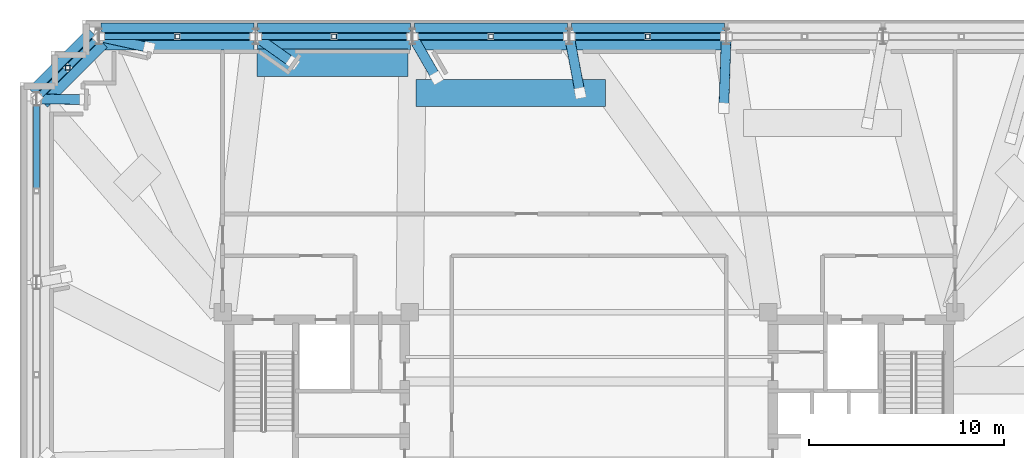
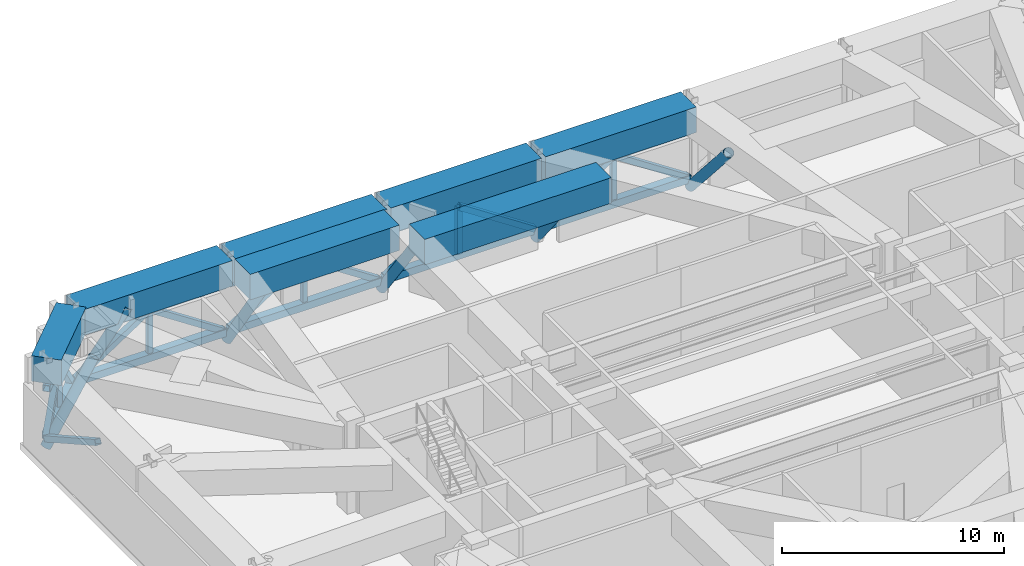
# One storey, part 9 of 18: 32 members, 7 beams.
"""IFC4 building model written with IfcOpenShell, lengths in metres."""

from ifc_helpers import new_model, si_unit, direction, frame, origin, origin_2d, place, context, subcontext, project, spatial, rectangle, hollow_rectangle, hollow_circle, extrude, material, material_profile, profile_set, type_object, element, save


model = new_model("IFC4")

# Units and contexts
model_context = context("Model", 3, precision=1e-05, world=origin(), true_north=direction((0.0, 1.0)))
body_context = subcontext(model_context, "Body", "Model", "MODEL_VIEW")
ifc_project = project(units=[si_unit("LENGTHUNIT", "METRE"), si_unit("AREAUNIT", "SQUARE_METRE"), si_unit("VOLUMEUNIT", "CUBIC_METRE"), si_unit("PLANEANGLEUNIT", "RADIAN"), si_unit("MASSUNIT", "GRAM", prefix="KILO")], contexts=[model_context])

# Site, building, storey
site_placement = place(None, origin())
site = spatial("IfcSite", under=ifc_project, at=site_placement, CompositionType="ELEMENT")
building_placement = place(site_placement, origin())
building = spatial("IfcBuilding", under=site, at=building_placement, Name="Qobustan Lattice House", CompositionType="ELEMENT")
storey_placement = place(building_placement, frame((0.0, 0.0, 174.550048828125)))
storey = spatial("IfcBuildingStorey", under=building, at=storey_placement, Name="L49", CompositionType="ELEMENT", Elevation=174.550048828125)

# Beams
ifc_material_1 = material(Name="Concrete C60/75", Category="concrete")
ifc_material_profile_1 = material_profile(ifc_material_1, rectangle(XDim=1.39990234375, YDim=1.39990234375, at=origin_2d()), Name="RC1400x1400")
ifc_profile_set_1 = profile_set([ifc_material_profile_1], Name="Concrete C60/75")
beam_type = type_object("IfcBeamType", Name="BM-TRG-RC1400", PredefinedType="USERDEFINED", material=ifc_profile_set_1)
for number, where, z_axis, x_axis, name in (
    (1, (6.949951171875, 19.75, 4.119873046875), (-1.0, 0.0, 0.0), (0.0, -1.0, 0.0), "L49 TT3 lower perimeter transfer girder N3-N4"),
    (2, (-1.10009765625, 19.75, 4.119873046875), (-1.0, 0.0, 0.0), (0.0, -1.0, 0.0), "L49 TT3 lower perimeter transfer girder N4-N5"),
):
    element("IfcBeam", number, at=place(storey_placement, frame(where, z_axis=z_axis, x_axis=x_axis)), inside=storey, type_object=beam_type, Name=name, ObjectType="GIRDER", PredefinedType="USERDEFINED", context=body_context, shape_type="SweptSolid", body=[
        extrude(rectangle(XDim=1.39990234375, YDim=1.39990234375, at=origin_2d()), origin(), (0.0, 0.0, 1.0), 7.849853515625),
    ])
for number, where, z_axis, x_axis, name in (
    (3, (-9.14990234375, 19.75, 4.119873046875), (-1.0, 0.0, 0.0), (0.0, -1.0, 0.0), "L49 TT3 lower perimeter transfer girder N5-N6"),
    (4, (-17.199951171875, 19.75, 4.119873046875), (-1.0, 0.0, 0.0), (0.0, -1.0, 0.0), "L49 TT3 lower perimeter transfer girder N6-N7"),
):
    element("IfcBeam", number, at=place(storey_placement, frame(where, z_axis=z_axis, x_axis=x_axis)), inside=storey, type_object=beam_type, Name=name, ObjectType="GIRDER", PredefinedType="USERDEFINED", context=body_context, shape_type="SweptSolid", body=[
        extrude(rectangle(XDim=1.39990234375, YDim=1.39990234375, at=origin_2d()), origin(), (0.0, 0.0, 1.0), 7.85009765625),
    ])
beam_1_placement = place(storey_placement, frame((-25.220703125, 19.67919921875, 4.119873046875), z_axis=(-0.707106781187, -0.707106781187, 0.0), x_axis=(0.707106781187, -0.707106781187, 0.0)))
element("IfcBeam", 5, at=beam_1_placement, inside=storey, type_object=beam_type, Name="L49 TT3 lower perimeter transfer girder N7-W1", ObjectType="GIRDER", PredefinedType="USERDEFINED", context=body_context, shape_type="SweptSolid", body=[
    extrude(rectangle(XDim=1.39990234375, YDim=1.39990234375, at=origin_2d()), origin(), (0.0, 0.0, 1.0), 4.325439453125),
])
beam_2_placement = place(storey_placement, frame((-8.860595703125, 16.858154296875, 4.119873046875), z_axis=(1.0, 0.0, 0.0), x_axis=(0.0, 1.0, 0.0)))
element("IfcBeam", 6, at=beam_2_placement, inside=storey, type_object=beam_type, Name="L49 TT3 primary column transfer girder N4", ObjectType="GIRDER", PredefinedType="USERDEFINED", context=body_context, shape_type="SweptSolid", body=[
    extrude(rectangle(XDim=1.39990234375, YDim=1.39990234375, at=origin_2d()), origin(), (0.0, 0.0, 1.0), 9.72509765625),
])
beam_3_placement = place(storey_placement, frame((-17.041015625, 18.40869140625, 4.119873046875), z_axis=(1.0, 0.0, 0.0), x_axis=(0.0, 1.0, 0.0)))
element("IfcBeam", 7, at=beam_3_placement, inside=storey, type_object=beam_type, Name="L49 TT3 primary column transfer girder N6", ObjectType="GIRDER", PredefinedType="USERDEFINED", context=body_context, shape_type="SweptSolid", body=[
    extrude(rectangle(XDim=1.39990234375, YDim=1.39990234375, at=origin_2d()), origin(), (0.0, 0.0, 1.0), 7.7568359375),
])

# Members
ifc_material_2 = material(Name="Steel S355", Category="steel")
ifc_material_profile_2 = material_profile(ifc_material_2, hollow_rectangle(XDim=0.300048828125, YDim=0.300048828125, WallThickness=0.01611328125, at=origin_2d()), Name="SHS300x300x16")
ifc_profile_set_2 = profile_set([ifc_material_profile_2], Name="Steel S355")
member_type_1 = type_object("IfcMemberType", Name="MEM-BRC-SHS300", PredefinedType="BRACE", material=ifc_profile_set_2)
for number, where, z_axis, x_axis, name in (
    (8, (6.949951171875, 19.75, 0.550048828125), (-0.834676709291, 0.0, 0.550740220946), (0.0, -1.0, 0.0), "L49 TT3 belt truss web diagonal N3-N4 A"),
    (9, (3.02490234375, 19.75, 3.139892578125), (-0.834660960939, 0.0, -0.550764087686), (0.0, -1.0, 0.0), "L49 TT3 belt truss web diagonal N3-N4 B"),
    (10, (-1.10009765625, 19.75, 0.550048828125), (-0.834660960939, 0.0, 0.550764087686), (0.0, -1.0, 0.0), "L49 TT3 belt truss web diagonal N4-N5 A"),
    (11, (-5.02490234375, 19.75, 3.139892578125), (-0.834676709291, 0.0, -0.550740220946), (0.0, -1.0, 0.0), "L49 TT3 belt truss web diagonal N4-N5 B"),
    (12, (-9.14990234375, 19.75, 0.550048828125), (-0.834676709291, 0.0, 0.550740220946), (0.0, -1.0, 0.0), "L49 TT3 belt truss web diagonal N5-N6 A"),
    (13, (-13.074951171875, 19.75, 3.139892578125), (-0.834676709291, 0.0, -0.550740220946), (0.0, -1.0, 0.0), "L49 TT3 belt truss web diagonal N5-N6 B"),
    (14, (-17.199951171875, 19.75, 0.550048828125), (-0.834676709291, 0.0, 0.550740220946), (0.0, -1.0, 0.0), "L49 TT3 belt truss web diagonal N6-N7 A"),
    (15, (-21.125, 19.75, 3.139892578125), (-0.834676709291, 0.0, -0.550740220946), (0.0, -1.0, 0.0), "L49 TT3 belt truss web diagonal N6-N7 B"),
):
    element("IfcMember", number, at=place(storey_placement, frame(where, z_axis=z_axis, x_axis=x_axis)), inside=storey, type_object=member_type_1, Name=name, PredefinedType="BRACE", context=body_context, shape_type="SweptSolid", body=[
        extrude(hollow_rectangle(XDim=0.300048828125, YDim=0.300048828125, WallThickness=0.01611328125, at=origin_2d()), origin(), (0.0, 0.0, 1.0), 4.702392578125),
    ])
for number, where, z_axis, x_axis, name in (
    (16, (-25.220703125, 19.67919921875, 0.550048828125), (-0.453241133876, -0.453241133876, 0.767557782272), (0.707106781187, -0.707106781187, 0.0), "L49 TT3 belt truss web diagonal N7-W1 A"),
    (17, (-26.75, 18.14990234375, 3.139892578125), (-0.453241133876, -0.453241133876, -0.767557782272), (0.707106781187, -0.707106781187, 0.0), "L49 TT3 belt truss web diagonal N7-W1 B"),
):
    element("IfcMember", number, at=place(storey_placement, frame(where, z_axis=z_axis, x_axis=x_axis)), inside=storey, type_object=member_type_1, Name=name, PredefinedType="BRACE", context=body_context, shape_type="SweptSolid", body=[
        extrude(hollow_rectangle(XDim=0.300048828125, YDim=0.300048828125, WallThickness=0.01611328125, at=origin_2d()), origin(), (0.0, 0.0, 1.0), 3.3740234375),
    ])
member_1_placement = place(storey_placement, frame((-28.35009765625, 16.449951171875, 0.550048828125), z_axis=(0.0, -0.872144001092, 0.489249263013), x_axis=(1.0, 0.0, 0.0)))
element("IfcMember", 18, at=member_1_placement, inside=storey, type_object=member_type_1, Name="L49 TT3 belt truss web diagonal W1-W2 A", PredefinedType="BRACE", context=body_context, shape_type="SweptSolid", body=[
    extrude(hollow_rectangle(XDim=0.300048828125, YDim=0.300048828125, WallThickness=0.01611328125, at=origin_2d()), origin(), (0.0, 0.0, 1.0), 5.29345703125),
])
ifc_material_3 = material(Name="Steel S355", Category="steel")
ifc_material_profile_3 = material_profile(ifc_material_3, hollow_rectangle(XDim=0.35009765625, YDim=0.35009765625, WallThickness=0.01611328125, at=origin_2d()), Name="SHS350x350x16")
ifc_profile_set_3 = profile_set([ifc_material_profile_3], Name="Steel S355")
member_type_2 = type_object("IfcMemberType", Name="MEM-CHD-SHS350", PredefinedType="CHORD", material=ifc_profile_set_3)
for number, where, z_axis, x_axis, name in (
    (19, (6.949951171875, 19.75, 3.139892578125), (-1.0, 0.0, 0.0), (0.0, -1.0, 0.0), "L49 TT3 belt truss top chord N3-N4"),
    (20, (-1.10009765625, 19.75, 3.139892578125), (-1.0, 0.0, 0.0), (0.0, -1.0, 0.0), "L49 TT3 belt truss top chord N4-N5"),
):
    element("IfcMember", number, at=place(storey_placement, frame(where, z_axis=z_axis, x_axis=x_axis)), inside=storey, type_object=member_type_2, Name=name, PredefinedType="CHORD", context=body_context, shape_type="SweptSolid", body=[
        extrude(hollow_rectangle(XDim=0.35009765625, YDim=0.35009765625, WallThickness=0.01611328125, at=origin_2d()), origin(), (0.0, 0.0, 1.0), 7.849853515625),
    ])
for number, where, z_axis, x_axis, name in (
    (21, (-9.14990234375, 19.75, 3.139892578125), (-1.0, 0.0, 0.0), (0.0, -1.0, 0.0), "L49 TT3 belt truss top chord N5-N6"),
    (22, (-17.199951171875, 19.75, 3.139892578125), (-1.0, 0.0, 0.0), (0.0, -1.0, 0.0), "L49 TT3 belt truss top chord N6-N7"),
):
    element("IfcMember", number, at=place(storey_placement, frame(where, z_axis=z_axis, x_axis=x_axis)), inside=storey, type_object=member_type_2, Name=name, PredefinedType="CHORD", context=body_context, shape_type="SweptSolid", body=[
        extrude(hollow_rectangle(XDim=0.35009765625, YDim=0.35009765625, WallThickness=0.01611328125, at=origin_2d()), origin(), (0.0, 0.0, 1.0), 7.85009765625),
    ])
member_2_placement = place(storey_placement, frame((-25.220703125, 19.67919921875, 3.139892578125), z_axis=(-0.707106781187, -0.707106781187, 0.0), x_axis=(0.707106781187, -0.707106781187, 0.0)))
element("IfcMember", 23, at=member_2_placement, inside=storey, type_object=member_type_2, Name="L49 TT3 belt truss top chord N7-W1", PredefinedType="CHORD", context=body_context, shape_type="SweptSolid", body=[
    extrude(hollow_rectangle(XDim=0.35009765625, YDim=0.35009765625, WallThickness=0.01611328125, at=origin_2d()), origin(), (0.0, 0.0, 1.0), 4.325439453125),
])
ifc_material_4 = material(Name="Steel S355", Category="steel")
ifc_material_profile_4 = material_profile(ifc_material_4, hollow_rectangle(XDim=0.39990234375, YDim=0.39990234375, WallThickness=0.02001953125, at=origin_2d()), Name="SHS400x400x20")
ifc_profile_set_4 = profile_set([ifc_material_profile_4], Name="Steel S355")
member_type_3 = type_object("IfcMemberType", Name="MEM-CHD-SHS400", PredefinedType="CHORD", material=ifc_profile_set_4)
for number, where, z_axis, x_axis, name in (
    (24, (6.949951171875, 19.75, 0.550048828125), (-1.0, 0.0, 0.0), (0.0, -1.0, 0.0), "L49 TT3 belt truss bottom chord N3-N4"),
    (25, (-1.10009765625, 19.75, 0.550048828125), (-1.0, 0.0, 0.0), (0.0, -1.0, 0.0), "L49 TT3 belt truss bottom chord N4-N5"),
):
    element("IfcMember", number, at=place(storey_placement, frame(where, z_axis=z_axis, x_axis=x_axis)), inside=storey, type_object=member_type_3, Name=name, PredefinedType="CHORD", context=body_context, shape_type="SweptSolid", body=[
        extrude(hollow_rectangle(XDim=0.39990234375, YDim=0.39990234375, WallThickness=0.02001953125, at=origin_2d()), origin(), (0.0, 0.0, 1.0), 7.849853515625),
    ])
for number, where, z_axis, x_axis, name in (
    (26, (-9.14990234375, 19.75, 0.550048828125), (-1.0, 0.0, 0.0), (0.0, -1.0, 0.0), "L49 TT3 belt truss bottom chord N5-N6"),
    (27, (-17.199951171875, 19.75, 0.550048828125), (-1.0, 0.0, 0.0), (0.0, -1.0, 0.0), "L49 TT3 belt truss bottom chord N6-N7"),
):
    element("IfcMember", number, at=place(storey_placement, frame(where, z_axis=z_axis, x_axis=x_axis)), inside=storey, type_object=member_type_3, Name=name, PredefinedType="CHORD", context=body_context, shape_type="SweptSolid", body=[
        extrude(hollow_rectangle(XDim=0.39990234375, YDim=0.39990234375, WallThickness=0.02001953125, at=origin_2d()), origin(), (0.0, 0.0, 1.0), 7.85009765625),
    ])
member_3_placement = place(storey_placement, frame((-25.220703125, 19.67919921875, 0.550048828125), z_axis=(-0.707106781187, -0.707106781187, 0.0), x_axis=(0.707106781187, -0.707106781187, 0.0)))
element("IfcMember", 28, at=member_3_placement, inside=storey, type_object=member_type_3, Name="L49 TT3 belt truss bottom chord N7-W1", PredefinedType="CHORD", context=body_context, shape_type="SweptSolid", body=[
    extrude(hollow_rectangle(XDim=0.39990234375, YDim=0.39990234375, WallThickness=0.02001953125, at=origin_2d()), origin(), (0.0, 0.0, 1.0), 4.325439453125),
])
ifc_material_5 = material(Name="Steel S355", Category="steel")
ifc_material_profile_5 = material_profile(ifc_material_5, hollow_rectangle(XDim=0.25, YDim=0.25, WallThickness=0.012451171875, at=origin_2d()), Name="SHS250x250x12.5")
ifc_profile_set_5 = profile_set([ifc_material_profile_5], Name="Steel S355")
member_type_4 = type_object("IfcMemberType", Name="MEM-PST-SHS250", PredefinedType="POST", material=ifc_profile_set_5)
for number, where, z_axis, x_axis, name in (
    (29, (3.02490234375, 19.75, 0.550048828125), (0.0, 0.0, 1.0), (1.0, 0.0, 0.0), "L49 TT3 belt truss vertical post N3-N4"),
    (30, (-5.02490234375, 19.75, 0.550048828125), (0.0, 0.0, 1.0), (1.0, 0.0, 0.0), "L49 TT3 belt truss vertical post N4-N5"),
    (31, (-13.074951171875, 19.75, 0.550048828125), (0.0, 0.0, 1.0), (1.0, 0.0, 0.0), "L49 TT3 belt truss vertical post N5-N6"),
    (32, (-21.125, 19.75, 0.550048828125), (0.0, 0.0, 1.0), (1.0, 0.0, 0.0), "L49 TT3 belt truss vertical post N6-N7"),
    (33, (-26.75, 18.14990234375, 0.550048828125), (0.0, 0.0, 1.0), (1.0, 0.0, 0.0), "L49 TT3 belt truss vertical post N7-W1"),
):
    element("IfcMember", number, at=place(storey_placement, frame(where, z_axis=z_axis, x_axis=x_axis)), inside=storey, type_object=member_type_4, Name=name, PredefinedType="POST", context=body_context, shape_type="SweptSolid", body=[
        extrude(hollow_rectangle(XDim=0.25, YDim=0.25, WallThickness=0.012451171875, at=origin_2d()), origin(), (0.0, 0.0, 1.0), 2.58984375),
    ])
ifc_material_6 = material(Name="Steel S355", Category="steel")
ifc_material_profile_6 = material_profile(ifc_material_6, hollow_circle(Radius=0.25390625, WallThickness=0.02001953125, at=origin_2d()), Name="CHS508x20")
ifc_profile_set_6 = profile_set([ifc_material_profile_6], Name="Steel S355")
member_type_5 = type_object("IfcMemberType", Name="MEM-STR-CHS508", PredefinedType="STRUT", material=ifc_profile_set_6)
member_4_placement = place(storey_placement, frame((7.050048828125, 19.75, 0.014892578125), z_axis=(-0.022348958918, -0.666034450306, 0.745586101695), x_axis=(0.999437497245, -0.033536384728, 0.0)))
element("IfcMember", 34, at=member_4_placement, inside=storey, type_object=member_type_5, Name="L49 TT3 column transfer strut N3", PredefinedType="STRUT", context=body_context, shape_type="SweptSolid", body=[
    extrude(hollow_circle(Radius=0.25390625, WallThickness=0.02001953125, at=origin_2d()), origin(), (0.0, 0.0, 1.0), 5.505615234375),
])
member_5_placement = place(storey_placement, frame((-1.0, 19.75, 0.014892578125), z_axis=(0.109034609578, -0.572480031227, 0.812636491773), x_axis=(0.982341469867, 0.187096864164, 0.0)))
element("IfcMember", 35, at=member_5_placement, inside=storey, type_object=member_type_5, Name="L49 TT3 column transfer strut N4", PredefinedType="STRUT", context=body_context, shape_type="SweptSolid", body=[
    extrude(hollow_circle(Radius=0.25390625, WallThickness=0.02001953125, at=origin_2d()), origin(), (0.0, 0.0, 1.0), 5.051513671875),
])
member_6_placement = place(storey_placement, frame((-9.050048828125, 19.75, 0.014892578125), z_axis=(0.256345866583, -0.442946445567, 0.859118875968), x_axis=(0.865508299666, 0.500894582931, 0.0)))
element("IfcMember", 36, at=member_6_placement, inside=storey, type_object=member_type_5, Name="L49 TT3 column transfer strut N5", PredefinedType="STRUT", context=body_context, shape_type="SweptSolid", body=[
    extrude(hollow_circle(Radius=0.25390625, WallThickness=0.02001953125, at=origin_2d()), origin(), (0.0, 0.0, 1.0), 4.778076171875),
])
member_7_placement = place(storey_placement, frame((-17.10009765625, 19.75, 0.014892578125), z_axis=(0.402518164137, -0.284319207222, 0.87013890612), x_axis=(0.576938788763, 0.816787386057, 0.0)))
element("IfcMember", 37, at=member_7_placement, inside=storey, type_object=member_type_5, Name="L49 TT3 column transfer strut N6", PredefinedType="STRUT", context=body_context, shape_type="SweptSolid", body=[
    extrude(hollow_circle(Radius=0.25390625, WallThickness=0.02001953125, at=origin_2d()), origin(), (0.0, 0.0, 1.0), 4.717529296875),
])
member_8_placement = place(storey_placement, frame((-25.14990234375, 19.75, 0.014892578125), z_axis=(0.527435720195, -0.116028850661, 0.84163463978), x_axis=(0.214849405477, 0.976647189607, 0.0)))
element("IfcMember", 38, at=member_8_placement, inside=storey, type_object=member_type_5, Name="L49 TT3 column transfer strut N7", PredefinedType="STRUT", context=body_context, shape_type="SweptSolid", body=[
    extrude(hollow_circle(Radius=0.25390625, WallThickness=0.02001953125, at=origin_2d()), origin(), (0.0, 0.0, 1.0), 4.87744140625),
])
member_9_placement = place(storey_placement, frame((-28.35009765625, 16.550048828125, 0.014892578125), z_axis=(0.516412110578, -0.007537375973, 0.856307024385), x_axis=(0.014594106317, 0.999893500359, 0.0)))
element("IfcMember", 39, at=member_9_placement, inside=storey, type_object=member_type_5, Name="L49 TT3 column transfer strut W1", PredefinedType="STRUT", context=body_context, shape_type="SweptSolid", body=[
    extrude(hollow_circle(Radius=0.25390625, WallThickness=0.02001953125, at=origin_2d()), origin(), (0.0, 0.0, 1.0), 4.793701171875),
])

save(model, "model.ifc")
